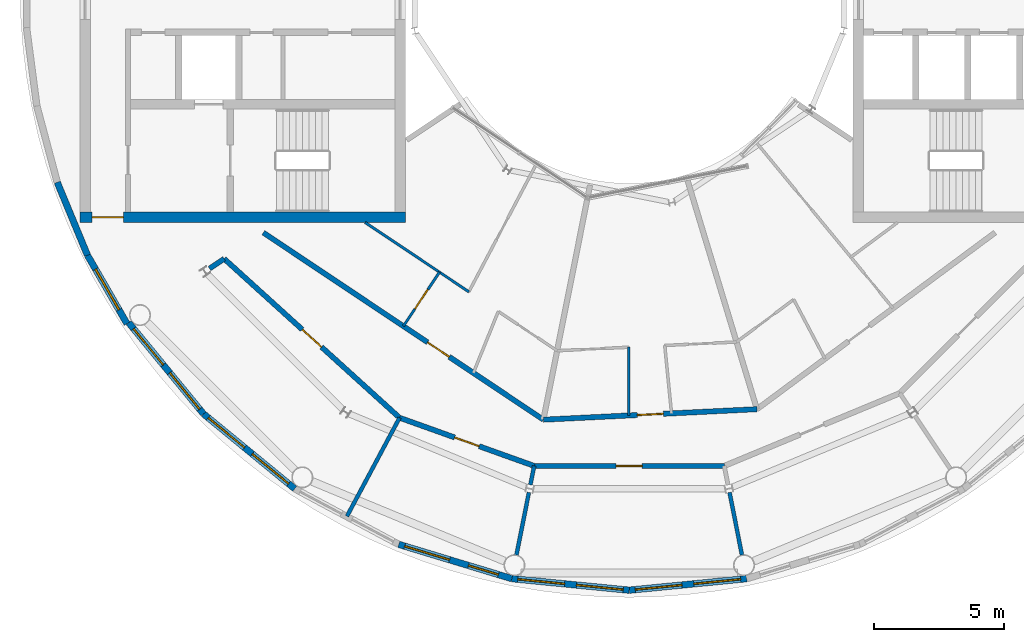
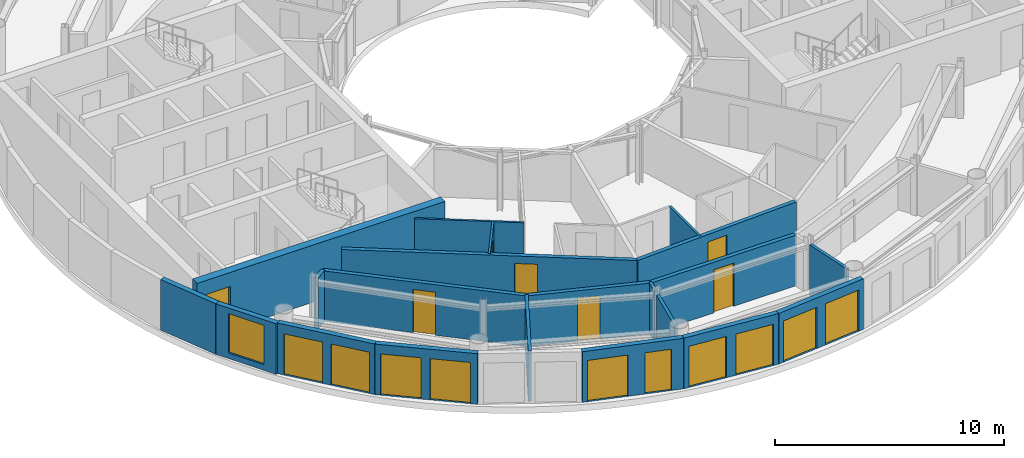
# One storey, part 8 of 17: 21 walls, 17 doors, 1 window, 18 openings.
"""IFC4 building model written with IfcOpenShell, lengths in metres."""

import ifcopenshell
import ifcopenshell.guid

model = None  # the IFC model being written
_history = None  # IfcOwnerHistory: only IFC2X3 demands one
_inside = {}  # id of a spatial element -> (the spatial element, [elements in it])
_under = {}  # id of a project, library or spatial element -> (it, [spatial elements below it])
_declared = {}  # id of a project -> (the project, [libraries it declares])
_typed = {}  # id of a type object -> (the type object, [elements of that type])
_made_of = {}  # id of a material, layer set ... -> (it, [elements and type objects made of it])


def new_model(schema):
    """Start an empty IFC model of exactly this schema.

    Asked for "IFC4X3", IfcOpenShell would pick the latest addendum, in which some entities
    have other attributes; the version numbers below select the first issue.
    IFC2X3 requires an IfcOwnerHistory on every rooted entity: one is made here for all.
    """
    global model, _history
    if schema == "IFC4X3":
        model = ifcopenshell.file(schema_version=(4, 3, 0, 0))
    else:
        model = ifcopenshell.file(schema=schema)
    _inside.clear()
    _under.clear()
    _declared.clear()
    _typed.clear()
    _made_of.clear()
    _history = None
    if model.schema == "IFC2X3":
        org = make("IfcOrganization", Name="unknown")
        user = make(
            "IfcPersonAndOrganization",
            ThePerson=make("IfcPerson", FamilyName="unknown"),
            TheOrganization=org,
        )
        app = make(
            "IfcApplication",
            ApplicationDeveloper=org,
            Version="unknown",
            ApplicationFullName="unknown",
            ApplicationIdentifier="unknown",
        )
        _history = make(
            "IfcOwnerHistory",
            OwningUser=user,
            OwningApplication=app,
            ChangeAction="ADDED",
            CreationDate=0,
        )
    return model


def make(cls, **values):
    """One entity of the class cls with the attributes given. An attribute that is None is left unset."""
    return model.create_entity(
        cls, **{name: value for name, value in values.items() if value is not None}
    )


def rooted(cls, **values):
    """An entity with a GlobalId (a new one), such as an element, a storey or a relation."""
    return make(cls, GlobalId=ifcopenshell.guid.new(), OwnerHistory=_history, **values)


def si_unit(unit_type, name, prefix=None):
    """IfcSIUnit, for example si_unit("LENGTHUNIT", "METRE", prefix="MILLI")."""
    return make("IfcSIUnit", UnitType=unit_type, Prefix=prefix, Name=name)


def assignment(units):
    """IfcUnitAssignment: the units of a project."""
    return None if units is None else make("IfcUnitAssignment", Units=units)


def point(xyz):
    """IfcCartesianPoint."""
    return None if xyz is None else make("IfcCartesianPoint", Coordinates=xyz)


def direction(xyz):
    """IfcDirection."""
    return None if xyz is None else make("IfcDirection", DirectionRatios=xyz)


def frame(location, z_axis=None, x_axis=None):
    """IfcAxis2Placement3D, a coordinate frame: its origin and axes. An axis left out is left unset."""
    return make(
        "IfcAxis2Placement3D",
        Location=point(location),
        Axis=direction(z_axis),
        RefDirection=direction(x_axis),
    )


def frame_2d(location, x_axis=None):
    """IfcAxis2Placement2D, a coordinate frame in the plane: its origin and x axis."""
    return make(
        "IfcAxis2Placement2D", Location=point(location), RefDirection=direction(x_axis)
    )


def origin():
    """The frame at (0, 0, 0) with its axes left unset."""
    return frame((0.0, 0.0, 0.0))


def place(relative_to, where):
    """IfcLocalPlacement: puts the frame where relative to a parent placement (None: the world)."""
    return make(
        "IfcLocalPlacement", PlacementRelTo=relative_to, RelativePlacement=where
    )


def context(
    kind, dimensions, precision=None, world=None, true_north=None, identifier=None
):
    """IfcGeometricRepresentationContext, for example the 3D "Model" context."""
    return make(
        "IfcGeometricRepresentationContext",
        ContextIdentifier=identifier,
        ContextType=kind,
        CoordinateSpaceDimension=dimensions,
        Precision=precision,
        WorldCoordinateSystem=world,
        TrueNorth=true_north,
    )


def subcontext(parent, identifier, kind, view, scale=None):
    """IfcGeometricRepresentationSubContext, for example "Body" below "Model"."""
    return make(
        "IfcGeometricRepresentationSubContext",
        ContextIdentifier=identifier,
        ContextType=kind,
        ParentContext=parent,
        TargetScale=scale,
        TargetView=view,
    )


def project(units=None, contexts=None):
    """IfcProject with its units and contexts."""
    return rooted(
        "IfcProject",
        Name="project",
        RepresentationContexts=contexts,
        UnitsInContext=assignment(units),
    )


def spatial(cls, under=None, at=None, **own):
    """A site, building, storey or space (cls), placed at a placement, below another one or the project."""
    s = rooted(cls, ObjectPlacement=at, **own)
    if under is not None:
        _under.setdefault(under.id(), (under, []))[1].append(s)
    return s


def profile(cls, at=None, kind="AREA", **sizes):
    """A parametric profile (cls). Its sizes go by their IFC names, for example OverallWidth=200.0."""
    return make(cls, ProfileType=kind, Position=at, **sizes)


def rectangle(**sizes):
    """IfcRectangleProfileDef."""
    return profile("IfcRectangleProfileDef", **sizes)


def extrude(swept, where, along, depth):
    """IfcExtrudedAreaSolid: the profile swept, set in the frame where, extruded along a direction by depth."""
    return make(
        "IfcExtrudedAreaSolid",
        SweptArea=swept,
        Position=where,
        ExtrudedDirection=direction(along),
        Depth=depth,
    )


def shape(context_of_items, identifier, shape_type, items):
    """IfcShapeRepresentation: the items that make up one representation, for example the "Body"."""
    return make(
        "IfcShapeRepresentation",
        ContextOfItems=context_of_items,
        RepresentationIdentifier=identifier,
        RepresentationType=shape_type,
        Items=items,
    )


def material(Name=None, Category=None):
    """IfcMaterial."""
    return make("IfcMaterial", Name=Name, Category=Category)


def layer(
    of_material, thickness, ventilated=None, Name=None, Category=None, Priority=None
):
    """IfcMaterialLayer: one layer of a wall or slab, of a material (None: an air gap)."""
    return make(
        "IfcMaterialLayer",
        Material=of_material,
        LayerThickness=thickness,
        IsVentilated=ventilated,
        Name=Name,
        Category=Category,
        Priority=Priority,
    )


def layer_set(layers, Name=None):
    """IfcMaterialLayerSet."""
    return make("IfcMaterialLayerSet", MaterialLayers=layers, LayerSetName=Name)


def made_of(thing, what):
    """Note that an element or type object is made of a material, layer set ...; save() writes the relation."""
    if what is not None:
        _made_of.setdefault(what.id(), (what, []))[1].append(thing)
    return thing


def type_object(cls, material=None, **own):
    """A type object (cls), such as IfcWallType, which elements share."""
    return made_of(rooted(cls, **own), material)


def element(
    cls,
    number,
    at=None,
    inside=None,
    cuts=None,
    type_object=None,
    material=None,
    context=None,
    identifier="Body",
    shape_type=None,
    held_by="IfcProductDefinitionShape",
    body=None,
    shapes=None,
    **own,
):
    """One element of the class cls, such as IfcWall. Its Tag is "e" and its number.

    at: its placement. inside: the storey or other place that contains it. cuts: it is an
    opening in that element (IfcRelVoidsElement). A single representation is given by context,
    identifier, shape_type and body (its items); several are given by shapes. held_by: the class
    of the entity that holds the representations. save() writes the other relations.
    """
    e = rooted(cls, Tag="e%d" % number, ObjectPlacement=at, **own)
    if body is not None:
        shapes = [shape(context, identifier, shape_type, body)]
    if shapes is not None:
        e.Representation = make(held_by, Representations=shapes)
    if inside is not None:
        _inside.setdefault(inside.id(), (inside, []))[1].append(e)
    if cuts is not None:
        rooted(
            "IfcRelVoidsElement", RelatingBuildingElement=cuts, RelatedOpeningElement=e
        )
    if type_object is not None:
        _typed.setdefault(type_object.id(), (type_object, []))[1].append(e)
    return made_of(e, material)


def fill(opening, filler):
    """IfcRelFillsElement: the door or window that sits in an opening."""
    return rooted(
        "IfcRelFillsElement",
        RelatingOpeningElement=opening,
        RelatedBuildingElement=filler,
    )


def aggregate(whole, parts):
    """IfcRelAggregates: a whole, such as a stair, and the parts it consists of."""
    return rooted("IfcRelAggregates", RelatingObject=whole, RelatedObjects=parts)


def save(model, path):
    """Write the relations noted so far, then the file.

    IfcRelAggregates (storeys below a building ...), IfcRelContainedInSpatialStructure (elements
    in a storey), IfcRelDefinesByType, IfcRelAssociatesMaterial and IfcRelDeclares: one each for
    every whole, place, type object, material and project.
    """
    for whole, parts in _under.values():
        aggregate(whole, parts)
    for where, things in _inside.values():
        rooted(
            "IfcRelContainedInSpatialStructure",
            RelatedElements=things,
            RelatingStructure=where,
        )
    for kind, things in _typed.values():
        rooted("IfcRelDefinesByType", RelatedObjects=things, RelatingType=kind)
    for what, things in _made_of.values():
        rooted("IfcRelAssociatesMaterial", RelatedObjects=things, RelatingMaterial=what)
    for by, libraries in _declared.values():
        rooted("IfcRelDeclares", RelatingContext=by, RelatedDefinitions=libraries)
    model.write(path)


model = new_model("IFC4")

# Units and contexts
model_context = context("Model", 3, precision=1e-05, world=origin(), true_north=direction((0.0, 1.0)))
body_context = subcontext(model_context, "Body", "Model", "MODEL_VIEW")
ifc_project = project(units=[si_unit("LENGTHUNIT", "METRE"), si_unit("AREAUNIT", "SQUARE_METRE"), si_unit("VOLUMEUNIT", "CUBIC_METRE"), si_unit("PLANEANGLEUNIT", "RADIAN"), si_unit("MASSUNIT", "GRAM", prefix="KILO")], contexts=[model_context])

# Site, building, storey
site_placement = place(None, origin())
site = spatial("IfcSite", under=ifc_project, at=site_placement, CompositionType="ELEMENT")
building_placement = place(site_placement, origin())
building = spatial("IfcBuilding", under=site, at=building_placement, Name="Maasbend Ring Residences", CompositionType="ELEMENT")
storey_placement = place(building_placement, frame((0.0, 0.0, 249.300048828125)))
storey = spatial("IfcBuildingStorey", under=building, at=storey_placement, Name="L72", CompositionType="ELEMENT", Elevation=249.300048828125)

# Wall, opening, door
ifc_material_1 = material(Name="Concrete C50/60", Category="concrete")
ifc_layer_1 = layer(ifc_material_1, 0.39990234375)
ifc_layer_set_1 = layer_set([ifc_layer_1], Name="Concrete C50/60")
wall_type_1 = type_object("IfcWallType", Name="CORE WALL 400 C50/60", PredefinedType="SHEAR", material=ifc_layer_set_1)
wall_1_placement = place(storey_placement, frame((-21.10009765625, -8.800048828125, 0.0), z_axis=(0.0, 0.0, 1.0), x_axis=(1.0, 0.0, 0.0)))
wall_1 = element("IfcWall", 1, at=wall_1_placement, inside=storey, type_object=wall_type_1, Name="L72 core W wall PN", PredefinedType="SHEAR", context=body_context, shape_type="SweptSolid", body=[
    extrude(rectangle(XDim=12.5, YDim=0.39990234375, at=frame_2d((6.25, 0.0))), origin(), (0.0, 0.0, 1.0), 3.050048828125),
])
opening_1_placement = place(wall_1_placement, frame((0.47509765625, 0.0, 0.0)))
opening_1 = element("IfcOpeningElement", 2, at=opening_1_placement, cuts=wall_1, Name="Opening D-W7214", PredefinedType="OPENING", context=body_context, shape_type="SweptSolid", body=[
    extrude(rectangle(XDim=1.199951171875, YDim=2.300048828125, at=frame_2d((0.60009765625, 1.14990234375))), frame((0.0, 0.2099609375, 0.0), z_axis=(0.0, -1.0, 0.0), x_axis=(1.0, 0.0, 0.0)), (0.0, 0.0, 1.0), 0.419921875),
])
ifc_material_2 = material(Name="Steel, powder coated", Category="steel")
door_type_1 = type_object("IfcDoorType", Name="CORRIDOR DOOR 1200 X 2300 FD30S", OperationType="NOTDEFINED", PredefinedType="DOOR", material=ifc_material_2)
door_1_placement = place(opening_1_placement, origin())
door_1 = element("IfcDoor", 3, at=door_1_placement, inside=storey, type_object=door_type_1, Name="Corridor door L72", OperationType="SINGLE_SWING_RIGHT", OverallHeight=2.300048828125, OverallWidth=1.199951171875, PredefinedType="DOOR", context=body_context, shape_type="SweptSolid", body=[
    extrude(rectangle(XDim=1.199951171875, YDim=2.300048828125, at=frame_2d((0.60009765625, 1.14990234375))), frame((0.0, 0.02490234375, 0.0), z_axis=(0.0, -1.0, 0.0), x_axis=(1.0, 0.0, 0.0)), (0.0, 0.0, 1.0), 0.050048828125),
])
fill(opening_1, door_1)

ifc_material_3 = material(Name="Concrete C30/37", Category="concrete")
ifc_layer_2 = layer(ifc_material_3, 0.199951171875)
ifc_layer_set_2 = layer_set([ifc_layer_2], Name="Concrete C30/37")
wall_type_2 = type_object("IfcWallType", Name="CORRIDOR WALL 200 CONCRETE", PredefinedType="PARTITIONING", material=ifc_layer_set_2)
wall_2_placement = place(storey_placement, frame((-8.820068359375, -16.5009765625, 0.0), z_axis=(0.0, 0.0, 1.0), x_axis=(0.941533512578, -0.336919344492, 0.0)))
wall_2 = element("IfcWall", 4, at=wall_2_placement, inside=storey, type_object=wall_type_2, Name="U-L72-w001", PredefinedType="PARTITIONING", context=body_context, shape_type="SweptSolid", body=[
    extrude(rectangle(XDim=5.4912109375, YDim=0.199951171875, at=frame_2d((2.74560546875, 0.0))), origin(), (0.0, 0.0, 1.0), 2.699951171875),
])
opening_2_placement = place(wall_2_placement, frame((2.24609375, 0.0, 0.0)))
opening_2 = element("IfcOpeningElement", 5, at=opening_2_placement, cuts=wall_2, Name="Opening D-7207", PredefinedType="OPENING", context=body_context, shape_type="SweptSolid", body=[
    extrude(rectangle(XDim=1.0, YDim=2.300048828125, at=frame_2d((0.5, 1.14990234375))), frame((0.0, 0.10986328125, 0.0), z_axis=(0.0, -1.0, 0.0), x_axis=(1.0, 0.0, 0.0)), (0.0, 0.0, 1.0), 0.219970703125),
])
ifc_material_4 = material(Name="Timber, painted", Category="wood")
door_type_2 = type_object("IfcDoorType", Name="ROOM DOOR 1000 X 2300", OperationType="NOTDEFINED", PredefinedType="DOOR", material=ifc_material_4)
door_2_placement = place(opening_2_placement, origin())
door_2 = element("IfcDoor", 6, at=door_2_placement, inside=storey, type_object=door_type_2, Name="D-7207", OperationType="SINGLE_SWING_RIGHT", OverallHeight=2.300048828125, OverallWidth=1.0, PredefinedType="DOOR", context=body_context, shape_type="SweptSolid", body=[
    extrude(rectangle(XDim=1.0, YDim=2.300048828125, at=frame_2d((0.5, 1.14990234375))), frame((0.0, 0.02490234375, 0.0), z_axis=(0.0, -1.0, 0.0), x_axis=(1.0, 0.0, 0.0)), (0.0, 0.0, 1.0), 0.050048828125),
])
fill(opening_2, door_2)

wall_3_placement = place(storey_placement, frame((-3.64990234375, -18.35107421875, 0.0), z_axis=(0.0, 0.0, 1.0), x_axis=(1.0, 0.0, 0.0)))
wall_3 = element("IfcWall", 7, at=wall_3_placement, inside=storey, type_object=wall_type_2, Name="U-L72-w002", PredefinedType="PARTITIONING", context=body_context, shape_type="SweptSolid", body=[
    extrude(rectangle(XDim=7.2998046875, YDim=0.199951171875, at=frame_2d((3.64990234375, 0.0))), origin(), (0.0, 0.0, 1.0), 2.699951171875),
])
opening_3_placement = place(wall_3_placement, frame((3.14990234375, 0.0, 0.0)))
opening_3 = element("IfcOpeningElement", 8, at=opening_3_placement, cuts=wall_3, Name="Opening D-7208", PredefinedType="OPENING", context=body_context, shape_type="SweptSolid", body=[
    extrude(rectangle(XDim=1.0, YDim=2.300048828125, at=frame_2d((0.5, 1.14990234375))), frame((0.0, 0.10986328125, 0.0), z_axis=(0.0, -1.0, 0.0), x_axis=(1.0, 0.0, 0.0)), (0.0, 0.0, 1.0), 0.219970703125),
])
door_3_placement = place(opening_3_placement, origin())
door_3 = element("IfcDoor", 9, at=door_3_placement, inside=storey, type_object=door_type_2, Name="D-7208", OperationType="SINGLE_SWING_LEFT", OverallHeight=2.300048828125, OverallWidth=1.0, PredefinedType="DOOR", context=body_context, shape_type="SweptSolid", body=[
    extrude(rectangle(XDim=1.0, YDim=2.300048828125, at=frame_2d((0.5, 1.14990234375))), frame((0.0, 0.02490234375, 0.0), z_axis=(0.0, -1.0, 0.0), x_axis=(1.0, 0.0, 0.0)), (0.0, 0.0, 1.0), 0.050048828125),
])
fill(opening_3, door_3)

wall_4_placement = place(storey_placement, frame((-15.556884765625, -10.39501953125, 0.0), z_axis=(0.0, 0.0, 1.0), x_axis=(0.740947701955, -0.671562731967, 0.0)))
wall_4 = element("IfcWall", 10, at=wall_4_placement, inside=storey, type_object=wall_type_2, Name="U-L72-w005", PredefinedType="PARTITIONING", context=body_context, shape_type="SweptSolid", body=[
    extrude(rectangle(XDim=9.092041015625, YDim=0.199951171875, at=frame_2d((4.5458984375, 0.0))), origin(), (0.0, 0.0, 1.0), 2.699951171875),
])
opening_4_placement = place(wall_4_placement, frame((4.0458984375, 0.0, 0.0)))
opening_4 = element("IfcOpeningElement", 11, at=opening_4_placement, cuts=wall_4, Name="Opening D-7206", PredefinedType="OPENING", context=body_context, shape_type="SweptSolid", body=[
    extrude(rectangle(XDim=1.0, YDim=2.300048828125, at=frame_2d((0.5, 1.14990234375))), frame((0.0, 0.10986328125, 0.0), z_axis=(0.0, -1.0, 0.0), x_axis=(1.0, 0.0, 0.0)), (0.0, 0.0, 1.0), 0.219970703125),
])
door_4_placement = place(opening_4_placement, origin())
door_4 = element("IfcDoor", 12, at=door_4_placement, inside=storey, type_object=door_type_2, Name="D-7206", OperationType="SINGLE_SWING_RIGHT", OverallHeight=2.300048828125, OverallWidth=1.0, PredefinedType="DOOR", context=body_context, shape_type="SweptSolid", body=[
    extrude(rectangle(XDim=1.0, YDim=2.300048828125, at=frame_2d((0.5, 1.14990234375))), frame((0.0, 0.02490234375, 0.0), z_axis=(0.0, -1.0, 0.0), x_axis=(1.0, 0.0, 0.0)), (0.0, 0.0, 1.0), 0.050048828125),
])
fill(opening_4, door_4)

wall_5_placement = place(storey_placement, frame((-3.297119140625, -16.574951171875, 0.0), z_axis=(0.0, 0.0, 1.0), x_axis=(0.998796706656, 0.0490422142, 0.0)))
wall_5 = element("IfcWall", 13, at=wall_5_placement, inside=storey, type_object=wall_type_2, Name="U-L72-w006", PredefinedType="PARTITIONING", context=body_context, shape_type="SweptSolid", body=[
    extrude(rectangle(XDim=8.2138671875, YDim=0.199951171875, at=frame_2d((4.10693359375, 0.0))), origin(), (0.0, 0.0, 1.0), 2.699951171875),
])
opening_5_placement = place(wall_5_placement, frame((3.614013671875, 0.0, 0.0)))
opening_5 = element("IfcOpeningElement", 14, at=opening_5_placement, cuts=wall_5, Name="Opening D-7227", PredefinedType="OPENING", context=body_context, shape_type="SweptSolid", body=[
    extrude(rectangle(XDim=1.0, YDim=2.300048828125, at=frame_2d((0.5, 1.14990234375))), frame((0.0, 0.10986328125, 0.0), z_axis=(0.0, -1.0, 0.0), x_axis=(1.0, 0.0, 0.0)), (0.0, 0.0, 1.0), 0.219970703125),
])
ifc_material_5 = material(Name="Timber, fire-rated, painted", Category="wood")
door_type_3 = type_object("IfcDoorType", Name="FLAT ENTRANCE DOOR 1000 X 2300 FIRE-RATED", OperationType="NOTDEFINED", PredefinedType="DOOR", material=ifc_material_5)
door_5_placement = place(opening_5_placement, origin())
door_5 = element("IfcDoor", 15, at=door_5_placement, inside=storey, type_object=door_type_3, Name="D-7227", OperationType="SINGLE_SWING_RIGHT", OverallHeight=2.300048828125, OverallWidth=1.0, PredefinedType="DOOR", context=body_context, shape_type="SweptSolid", body=[
    extrude(rectangle(XDim=1.0, YDim=2.300048828125, at=frame_2d((0.5, 1.14990234375))), frame((0.0, 0.02490234375, 0.0), z_axis=(0.0, -1.0, 0.0), x_axis=(1.0, 0.0, 0.0)), (0.0, 0.0, 1.0), 0.050048828125),
])
fill(opening_5, door_5)

wall_6_placement = place(storey_placement, frame((-14.052001953125, -9.39208984375, 0.0), z_axis=(0.0, 0.0, 1.0), x_axis=(0.831588235223, -0.555392660231, 0.0)))
wall_6 = element("IfcWall", 16, at=wall_6_placement, inside=storey, type_object=wall_type_2, Name="U-L72-w008", PredefinedType="PARTITIONING", context=body_context, shape_type="SweptSolid", body=[
    extrude(rectangle(XDim=12.932861328125, YDim=0.199951171875, at=frame_2d((6.46630859375, 0.0))), origin(), (0.0, 0.0, 1.0), 2.699951171875),
])
opening_6_placement = place(wall_6_placement, frame((7.5849609375, 0.0, 0.0)))
opening_6 = element("IfcOpeningElement", 17, at=opening_6_placement, cuts=wall_6, Name="Opening D-7223", PredefinedType="OPENING", context=body_context, shape_type="SweptSolid", body=[
    extrude(rectangle(XDim=1.0, YDim=2.300048828125, at=frame_2d((0.5, 1.14990234375))), frame((0.0, 0.10986328125, 0.0), z_axis=(0.0, -1.0, 0.0), x_axis=(1.0, 0.0, 0.0)), (0.0, 0.0, 1.0), 0.219970703125),
])
door_6_placement = place(opening_6_placement, origin())
door_6 = element("IfcDoor", 18, at=door_6_placement, inside=storey, type_object=door_type_3, Name="D-7223", OperationType="SINGLE_SWING_RIGHT", OverallHeight=2.300048828125, OverallWidth=1.0, PredefinedType="DOOR", context=body_context, shape_type="SweptSolid", body=[
    extrude(rectangle(XDim=1.0, YDim=2.300048828125, at=frame_2d((0.5, 1.14990234375))), frame((0.0, 0.02490234375, 0.0), z_axis=(0.0, -1.0, 0.0), x_axis=(1.0, 0.0, 0.0)), (0.0, 0.0, 1.0), 0.050048828125),
])
fill(opening_6, door_6)

# Wall
wall_7_placement = place(storey_placement, frame((-16.117919921875, -10.77001953125, 0.0), z_axis=(0.0, 0.0, 1.0), x_axis=(0.831381780519, 0.555701660086, 0.0)))
element("IfcWall", 19, at=wall_7_placement, inside=storey, type_object=wall_type_2, Name="U-L72-w017", PredefinedType="PARTITIONING", context=body_context, shape_type="SweptSolid", body=[
    extrude(rectangle(XDim=0.6748046875, YDim=0.199951171875, at=frame_2d((0.33740234375, 0.0))), origin(), (0.0, 0.0, 1.0), 2.699951171875),
])

# Wall, openings, doors
ifc_material_6 = material(Name="Aluminium clad insulated panel", Category="aluminium")
ifc_layer_3 = layer(ifc_material_6, 0.25)
ifc_layer_set_3 = layer_set([ifc_layer_3], Name="EW-GL")
wall_type_3 = type_object("IfcWallType", Name="EW-GL", PredefinedType="SOLIDWALL", material=ifc_layer_set_3)
wall_8_placement = place(storey_placement, frame((-19.22802734375, -12.847900390625, 0.0), z_axis=(0.0, 0.0, 1.0), x_axis=(0.634418942337, -0.772989395532, 0.0)))
wall_8 = element("IfcWall", 20, at=wall_8_placement, inside=storey, type_object=wall_type_3, Name="External wall S01", PredefinedType="SOLIDWALL", context=body_context, shape_type="SweptSolid", body=[
    extrude(rectangle(XDim=4.533203125, YDim=0.25, at=frame_2d((2.2666015625, 0.0))), origin(), (0.0, 0.0, 1.0), 2.699951171875),
])
opening_7_placement = place(wall_8_placement, frame((0.300048828125, 0.0, 0.0)))
opening_7 = element("IfcOpeningElement", 21, at=opening_7_placement, cuts=wall_8, Name="Opening D-TR", PredefinedType="OPENING", context=body_context, shape_type="SweptSolid", body=[
    extrude(rectangle(XDim=1.800048828125, YDim=2.199951171875, at=frame_2d((0.89990234375, 1.10009765625))), frame((0.0, 0.135009765625, 0.0), z_axis=(0.0, -1.0, 0.0), x_axis=(1.0, 0.0, 0.0)), (0.0, 0.0, 1.0), 0.27001953125),
])
opening_8_placement = place(wall_8_placement, frame((2.497314453125, 0.0, 0.0)))
opening_8 = element("IfcOpeningElement", 22, at=opening_8_placement, cuts=wall_8, Name="Opening D-TR", PredefinedType="OPENING", context=body_context, shape_type="SweptSolid", body=[
    extrude(rectangle(XDim=1.800048828125, YDim=2.199951171875, at=frame_2d((0.89990234375, 1.10009765625))), frame((0.0, 0.135009765625, 0.0), z_axis=(0.0, -1.0, 0.0), x_axis=(1.0, 0.0, 0.0)), (0.0, 0.0, 1.0), 0.27001953125),
])
ifc_material_7 = material(Name="Aluminium and clear glass", Category="aluminium")
door_type_4 = type_object("IfcDoorType", Name="D-TR", OperationType="DOUBLE_DOOR_SINGLE_SWING", PredefinedType="DOOR", material=ifc_material_7)
door_7_placement = place(opening_7_placement, origin())
door_7 = element("IfcDoor", 23, at=door_7_placement, inside=storey, type_object=door_type_4, Name="Terrace door S01", OperationType="SINGLE_SWING_LEFT", OverallHeight=2.199951171875, OverallWidth=1.800048828125, PredefinedType="DOOR", context=body_context, shape_type="SweptSolid", body=[
    extrude(rectangle(XDim=1.800048828125, YDim=2.199951171875, at=frame_2d((0.89990234375, 1.10009765625))), frame((0.0, 0.02490234375, 0.0), z_axis=(0.0, -1.0, 0.0), x_axis=(1.0, 0.0, 0.0)), (0.0, 0.0, 1.0), 0.050048828125),
])
fill(opening_7, door_7)
door_8_placement = place(opening_8_placement, origin())
door_8 = element("IfcDoor", 24, at=door_8_placement, inside=storey, type_object=door_type_4, Name="Terrace door S02", OperationType="SINGLE_SWING_LEFT", OverallHeight=2.199951171875, OverallWidth=1.800048828125, PredefinedType="DOOR", context=body_context, shape_type="SweptSolid", body=[
    extrude(rectangle(XDim=1.800048828125, YDim=2.199951171875, at=frame_2d((0.89990234375, 1.10009765625))), frame((0.0, 0.02490234375, 0.0), z_axis=(0.0, -1.0, 0.0), x_axis=(1.0, 0.0, 0.0)), (0.0, 0.0, 1.0), 0.050048828125),
])
fill(opening_8, door_8)

wall_9_placement = place(storey_placement, frame((-16.35205078125, -16.35205078125, 0.0), z_axis=(0.0, 0.0, 1.0), x_axis=(0.772989395532, -0.634418942337, 0.0)))
wall_9 = element("IfcWall", 25, at=wall_9_placement, inside=storey, type_object=wall_type_3, Name="External wall S02", PredefinedType="SOLIDWALL", context=body_context, shape_type="SweptSolid", body=[
    extrude(rectangle(XDim=4.533203125, YDim=0.25, at=frame_2d((2.2666015625, 0.0))), origin(), (0.0, 0.0, 1.0), 2.699951171875),
])
opening_9_placement = place(wall_9_placement, frame((0.236083984375, 0.0, 0.0)))
opening_9 = element("IfcOpeningElement", 26, at=opening_9_placement, cuts=wall_9, Name="Opening D-TR", PredefinedType="OPENING", context=body_context, shape_type="SweptSolid", body=[
    extrude(rectangle(XDim=1.800048828125, YDim=2.199951171875, at=frame_2d((0.89990234375, 1.10009765625))), frame((0.0, 0.135009765625, 0.0), z_axis=(0.0, -1.0, 0.0), x_axis=(1.0, 0.0, 0.0)), (0.0, 0.0, 1.0), 0.27001953125),
])
opening_10_placement = place(wall_9_placement, frame((2.4267578125, 0.0, 0.0)))
opening_10 = element("IfcOpeningElement", 27, at=opening_10_placement, cuts=wall_9, Name="Opening D-TR", PredefinedType="OPENING", context=body_context, shape_type="SweptSolid", body=[
    extrude(rectangle(XDim=1.800048828125, YDim=2.199951171875, at=frame_2d((0.89990234375, 1.10009765625))), frame((0.0, 0.135009765625, 0.0), z_axis=(0.0, -1.0, 0.0), x_axis=(1.0, 0.0, 0.0)), (0.0, 0.0, 1.0), 0.27001953125),
])
door_9_placement = place(opening_9_placement, origin())
door_9 = element("IfcDoor", 28, at=door_9_placement, inside=storey, type_object=door_type_4, Name="Terrace door S03", OperationType="SINGLE_SWING_LEFT", OverallHeight=2.199951171875, OverallWidth=1.800048828125, PredefinedType="DOOR", context=body_context, shape_type="SweptSolid", body=[
    extrude(rectangle(XDim=1.800048828125, YDim=2.199951171875, at=frame_2d((0.89990234375, 1.10009765625))), frame((0.0, 0.02490234375, 0.0), z_axis=(0.0, -1.0, 0.0), x_axis=(1.0, 0.0, 0.0)), (0.0, 0.0, 1.0), 0.050048828125),
])
fill(opening_9, door_9)
door_10_placement = place(opening_10_placement, origin())
door_10 = element("IfcDoor", 29, at=door_10_placement, inside=storey, type_object=door_type_4, Name="Terrace door S04", OperationType="SINGLE_SWING_LEFT", OverallHeight=2.199951171875, OverallWidth=1.800048828125, PredefinedType="DOOR", context=body_context, shape_type="SweptSolid", body=[
    extrude(rectangle(XDim=1.800048828125, YDim=2.199951171875, at=frame_2d((0.89990234375, 1.10009765625))), frame((0.0, 0.02490234375, 0.0), z_axis=(0.0, -1.0, 0.0), x_axis=(1.0, 0.0, 0.0)), (0.0, 0.0, 1.0), 0.050048828125),
])
fill(opening_10, door_10)

wall_10_placement = place(storey_placement, frame((-8.85009765625, -21.364990234375, 0.0), z_axis=(0.0, 0.0, 1.0), x_axis=(0.956960982965, -0.290216603735, 0.0)))
wall_10 = element("IfcWall", 30, at=wall_10_placement, inside=storey, type_object=wall_type_3, Name="External wall S04", PredefinedType="SOLIDWALL", context=body_context, shape_type="SweptSolid", body=[
    extrude(rectangle(XDim=4.5341796875, YDim=0.25, at=frame_2d((2.26708984375, 0.0))), origin(), (0.0, 0.0, 1.0), 2.699951171875),
])
opening_11_placement = place(wall_10_placement, frame((0.236083984375, 0.0, 0.0)))
opening_11 = element("IfcOpeningElement", 31, at=opening_11_placement, cuts=wall_10, Name="Opening D-TR", PredefinedType="OPENING", context=body_context, shape_type="SweptSolid", body=[
    extrude(rectangle(XDim=1.800048828125, YDim=2.199951171875, at=frame_2d((0.89990234375, 1.10009765625))), frame((0.0, 0.135009765625, 0.0), z_axis=(0.0, -1.0, 0.0), x_axis=(1.0, 0.0, 0.0)), (0.0, 0.0, 1.0), 0.27001953125),
])
opening_12_placement = place(wall_10_placement, frame((2.797119140625, 0.0, 0.0)))
opening_12 = element("IfcOpeningElement", 32, at=opening_12_placement, cuts=wall_10, Name="Opening D-TN", PredefinedType="OPENING", context=body_context, shape_type="SweptSolid", body=[
    extrude(rectangle(XDim=1.199951171875, YDim=2.199951171875, at=frame_2d((0.60009765625, 1.10009765625))), frame((0.0, 0.135009765625, 0.0), z_axis=(0.0, -1.0, 0.0), x_axis=(1.0, 0.0, 0.0)), (0.0, 0.0, 1.0), 0.27001953125),
])
ifc_material_8 = material(Name="Aluminium and clear glass", Category="aluminium")
door_type_5 = type_object("IfcDoorType", Name="D-TN", OperationType="SINGLE_SWING_LEFT", PredefinedType="DOOR", material=ifc_material_8)
door_11_placement = place(opening_12_placement, origin())
door_11 = element("IfcDoor", 33, at=door_11_placement, inside=storey, type_object=door_type_5, Name="Terrace door S08", OperationType="SINGLE_SWING_LEFT", OverallHeight=2.199951171875, OverallWidth=1.199951171875, PredefinedType="DOOR", context=body_context, shape_type="SweptSolid", body=[
    extrude(rectangle(XDim=1.199951171875, YDim=2.199951171875, at=frame_2d((0.60009765625, 1.10009765625))), frame((0.0, 0.02490234375, 0.0), z_axis=(0.0, -1.0, 0.0), x_axis=(1.0, 0.0, 0.0)), (0.0, 0.0, 1.0), 0.050048828125),
])
fill(opening_12, door_11)
door_12_placement = place(opening_11_placement, origin())
door_12 = element("IfcDoor", 34, at=door_12_placement, inside=storey, type_object=door_type_4, Name="Terrace door S07", OperationType="SINGLE_SWING_LEFT", OverallHeight=2.199951171875, OverallWidth=1.800048828125, PredefinedType="DOOR", context=body_context, shape_type="SweptSolid", body=[
    extrude(rectangle(XDim=1.800048828125, YDim=2.199951171875, at=frame_2d((0.89990234375, 1.10009765625))), frame((0.0, 0.02490234375, 0.0), z_axis=(0.0, -1.0, 0.0), x_axis=(1.0, 0.0, 0.0)), (0.0, 0.0, 1.0), 0.050048828125),
])
fill(opening_11, door_12)

wall_11_placement = place(storey_placement, frame((-4.510986328125, -22.680908203125, 0.0), z_axis=(0.0, 0.0, 1.0), x_axis=(0.995189063612, -0.097973096645, 0.0)))
wall_11 = element("IfcWall", 35, at=wall_11_placement, inside=storey, type_object=wall_type_3, Name="External wall S05", PredefinedType="SOLIDWALL", context=body_context, shape_type="SweptSolid", body=[
    extrude(rectangle(XDim=4.53271484375, YDim=0.25, at=frame_2d((2.266357421875, 0.0))), origin(), (0.0, 0.0, 1.0), 2.699951171875),
])
opening_13_placement = place(wall_11_placement, frame((0.236083984375, 0.0, 0.0)))
opening_13 = element("IfcOpeningElement", 36, at=opening_13_placement, cuts=wall_11, Name="Opening D-TR", PredefinedType="OPENING", context=body_context, shape_type="SweptSolid", body=[
    extrude(rectangle(XDim=1.800048828125, YDim=2.199951171875, at=frame_2d((0.89990234375, 1.10009765625))), frame((0.0, 0.135009765625, 0.0), z_axis=(0.0, -1.0, 0.0), x_axis=(1.0, 0.0, 0.0)), (0.0, 0.0, 1.0), 0.27001953125),
])
opening_14_placement = place(wall_11_placement, frame((2.497314453125, 0.0, 0.0)))
opening_14 = element("IfcOpeningElement", 37, at=opening_14_placement, cuts=wall_11, Name="Opening D-TR", PredefinedType="OPENING", context=body_context, shape_type="SweptSolid", body=[
    extrude(rectangle(XDim=1.800048828125, YDim=2.199951171875, at=frame_2d((0.89990234375, 1.10009765625))), frame((0.0, 0.135009765625, 0.0), z_axis=(0.0, -1.0, 0.0), x_axis=(1.0, 0.0, 0.0)), (0.0, 0.0, 1.0), 0.27001953125),
])
door_13_placement = place(opening_13_placement, origin())
door_13 = element("IfcDoor", 38, at=door_13_placement, inside=storey, type_object=door_type_4, Name="Terrace door S09", OperationType="SINGLE_SWING_LEFT", OverallHeight=2.199951171875, OverallWidth=1.800048828125, PredefinedType="DOOR", context=body_context, shape_type="SweptSolid", body=[
    extrude(rectangle(XDim=1.800048828125, YDim=2.199951171875, at=frame_2d((0.89990234375, 1.10009765625))), frame((0.0, 0.02490234375, 0.0), z_axis=(0.0, -1.0, 0.0), x_axis=(1.0, 0.0, 0.0)), (0.0, 0.0, 1.0), 0.050048828125),
])
fill(opening_13, door_13)
door_14_placement = place(opening_14_placement, origin())
door_14 = element("IfcDoor", 39, at=door_14_placement, inside=storey, type_object=door_type_4, Name="Terrace door S10", OperationType="SINGLE_SWING_LEFT", OverallHeight=2.199951171875, OverallWidth=1.800048828125, PredefinedType="DOOR", context=body_context, shape_type="SweptSolid", body=[
    extrude(rectangle(XDim=1.800048828125, YDim=2.199951171875, at=frame_2d((0.89990234375, 1.10009765625))), frame((0.0, 0.02490234375, 0.0), z_axis=(0.0, -1.0, 0.0), x_axis=(1.0, 0.0, 0.0)), (0.0, 0.0, 1.0), 0.050048828125),
])
fill(opening_14, door_14)

wall_12_placement = place(storey_placement, frame((0.0, -23.125, 0.0), z_axis=(0.0, 0.0, 1.0), x_axis=(0.995189063612, 0.097973096645, 0.0)))
wall_12 = element("IfcWall", 40, at=wall_12_placement, inside=storey, type_object=wall_type_3, Name="External wall S06", PredefinedType="SOLIDWALL", context=body_context, shape_type="SweptSolid", body=[
    extrude(rectangle(XDim=4.53271484375, YDim=0.25, at=frame_2d((2.266357421875, 0.0))), origin(), (0.0, 0.0, 1.0), 2.699951171875),
])
opening_15_placement = place(wall_12_placement, frame((0.236083984375, 0.0, 0.0)))
opening_15 = element("IfcOpeningElement", 41, at=opening_15_placement, cuts=wall_12, Name="Opening D-TR", PredefinedType="OPENING", context=body_context, shape_type="SweptSolid", body=[
    extrude(rectangle(XDim=1.800048828125, YDim=2.199951171875, at=frame_2d((0.89990234375, 1.10009765625))), frame((0.0, 0.135009765625, 0.0), z_axis=(0.0, -1.0, 0.0), x_axis=(1.0, 0.0, 0.0)), (0.0, 0.0, 1.0), 0.27001953125),
])
opening_16_placement = place(wall_12_placement, frame((2.497314453125, 0.0, 0.0)))
opening_16 = element("IfcOpeningElement", 42, at=opening_16_placement, cuts=wall_12, Name="Opening D-TR", PredefinedType="OPENING", context=body_context, shape_type="SweptSolid", body=[
    extrude(rectangle(XDim=1.800048828125, YDim=2.199951171875, at=frame_2d((0.89990234375, 1.10009765625))), frame((0.0, 0.135009765625, 0.0), z_axis=(0.0, -1.0, 0.0), x_axis=(1.0, 0.0, 0.0)), (0.0, 0.0, 1.0), 0.27001953125),
])
door_15_placement = place(opening_15_placement, origin())
door_15 = element("IfcDoor", 43, at=door_15_placement, inside=storey, type_object=door_type_4, Name="Terrace door S11", OperationType="SINGLE_SWING_LEFT", OverallHeight=2.199951171875, OverallWidth=1.800048828125, PredefinedType="DOOR", context=body_context, shape_type="SweptSolid", body=[
    extrude(rectangle(XDim=1.800048828125, YDim=2.199951171875, at=frame_2d((0.89990234375, 1.10009765625))), frame((0.0, 0.02490234375, 0.0), z_axis=(0.0, -1.0, 0.0), x_axis=(1.0, 0.0, 0.0)), (0.0, 0.0, 1.0), 0.050048828125),
])
fill(opening_15, door_15)
door_16_placement = place(opening_16_placement, origin())
door_16 = element("IfcDoor", 44, at=door_16_placement, inside=storey, type_object=door_type_4, Name="Terrace door S12", OperationType="SINGLE_SWING_LEFT", OverallHeight=2.199951171875, OverallWidth=1.800048828125, PredefinedType="DOOR", context=body_context, shape_type="SweptSolid", body=[
    extrude(rectangle(XDim=1.800048828125, YDim=2.199951171875, at=frame_2d((0.89990234375, 1.10009765625))), frame((0.0, 0.02490234375, 0.0), z_axis=(0.0, -1.0, 0.0), x_axis=(1.0, 0.0, 0.0)), (0.0, 0.0, 1.0), 0.050048828125),
])
fill(opening_16, door_16)

# Wall, opening, window
ifc_material_9 = material(Name="Aluminium clad insulated panel", Category="aluminium")
ifc_layer_4 = layer(ifc_material_9, 0.25)
ifc_layer_set_4 = layer_set([ifc_layer_4], Name="EW-HORN")
wall_type_4 = type_object("IfcWallType", Name="EW-HORN", PredefinedType="SOLIDWALL", material=ifc_layer_set_4)
wall_13_placement = place(storey_placement, frame((-20.806884765625, -10.260986328125, 0.0), z_axis=(0.0, 0.0, 1.0), x_axis=(0.499903546559, -0.866081084043, 0.0)))
wall_13 = element("IfcWall", 45, at=wall_13_placement, inside=storey, type_object=wall_type_4, Name="Horn wall 2.9", PredefinedType="SOLIDWALL", context=body_context, shape_type="SweptSolid", body=[
    extrude(rectangle(XDim=3.0341796875, YDim=0.25, at=frame_2d((1.51708984375, 0.0))), origin(), (0.0, 0.0, 1.0), 2.699951171875),
])
opening_17_placement = place(wall_13_placement, frame((0.617431640625, 0.0, 0.300048828125)))
opening_17 = element("IfcOpeningElement", 46, at=opening_17_placement, cuts=wall_13, Name="Opening W-BX", PredefinedType="OPENING", context=body_context, shape_type="SweptSolid", body=[
    extrude(rectangle(XDim=1.800048828125, YDim=2.10009765625, at=frame_2d((0.89990234375, 1.050048828125))), frame((0.0, 0.135009765625, 0.0), z_axis=(0.0, -1.0, 0.0), x_axis=(1.0, 0.0, 0.0)), (0.0, 0.0, 1.0), 0.27001953125),
])
ifc_material_10 = material(Name="Aluminium and clear glass", Category="aluminium")
window_type = type_object("IfcWindowType", Name="W-BX", PartitioningType="DOUBLE_PANEL_VERTICAL", PredefinedType="WINDOW", material=ifc_material_10)
window_placement = place(opening_17_placement, origin())
window = element("IfcWindow", 47, at=window_placement, inside=storey, type_object=window_type, Name="Horn window 2.9", OverallHeight=2.10009765625, OverallWidth=1.800048828125, PartitioningType="SINGLE_PANEL", PredefinedType="WINDOW", context=body_context, shape_type="SweptSolid", body=[
    extrude(rectangle(XDim=1.800048828125, YDim=2.10009765625, at=frame_2d((0.89990234375, 1.050048828125))), frame((0.0, 0.030029296875, 0.0), z_axis=(0.0, -1.0, 0.0), x_axis=(1.0, 0.0, 0.0)), (0.0, 0.0, 1.0), 0.06005859375),
])
fill(opening_17, window)

# Walls
ifc_material_11 = material(Name="Louvred aluminium panel", Category="aluminium")
ifc_layer_5 = layer(ifc_material_11, 0.25)
ifc_layer_set_5 = layer_set([ifc_layer_5], Name="EW-LV")
wall_type_5 = type_object("IfcWallType", Name="EW-LV", PredefinedType="SOLIDWALL", material=ifc_layer_set_5)
wall_14_placement = place(storey_placement, frame((-21.968994140625, -7.45703125, 0.0), z_axis=(0.0, 0.0, 1.0), x_axis=(0.382872724993, -0.923801102216, 0.0)))
element("IfcWall", 48, at=wall_14_placement, inside=storey, type_object=wall_type_5, Name="Horn wall 2.8", PredefinedType="SOLIDWALL", context=body_context, shape_type="SweptSolid", body=[
    extrude(rectangle(XDim=3.03515625, YDim=0.25, at=frame_2d((1.517578125, 0.0))), origin(), (0.0, 0.0, 1.0), 2.699951171875),
])
ifc_material_12 = material(Name="Gypsum board on steel studs", Category="steel")
ifc_layer_6 = layer(ifc_material_12, 0.10009765625)
ifc_layer_set_6 = layer_set([ifc_layer_6], Name="PARTITION 100 GYPSUM")
wall_type_6 = type_object("IfcWallType", Name="PARTITION 100 GYPSUM", PredefinedType="PARTITIONING", material=ifc_layer_set_6)
wall_15_placement = place(storey_placement, frame((-10.14306640625, -9.001953125, 0.0), z_axis=(0.0, 0.0, 1.0), x_axis=(0.831595529181, -0.555381738849, 0.0)))
element("IfcWall", 49, at=wall_15_placement, inside=storey, type_object=wall_type_6, Name="U-L72-w013", PredefinedType="PARTITIONING", context=body_context, shape_type="SweptSolid", body=[
    extrude(rectangle(XDim=4.793212890625, YDim=0.10009765625, at=frame_2d((2.396484375, 0.0))), origin(), (0.0, 0.0, 1.0), 2.699951171875),
])

# Wall, opening, door
wall_16_placement = place(storey_placement, frame((-8.674072265625, -12.98193359375, 0.0), z_axis=(0.0, 0.0, 1.0), x_axis=(0.555355163998, 0.831613276602, 0.0)))
wall_16 = element("IfcWall", 50, at=wall_16_placement, inside=storey, type_object=wall_type_6, Name="U-L72-w022", PredefinedType="PARTITIONING", context=body_context, shape_type="SweptSolid", body=[
    extrude(rectangle(XDim=2.493896484375, YDim=0.10009765625, at=frame_2d((1.2470703125, 0.0))), origin(), (0.0, 0.0, 1.0), 2.699951171875),
])
opening_18_placement = place(wall_16_placement, frame((0.797119140625, 0.0, 0.0)))
opening_18 = element("IfcOpeningElement", 51, at=opening_18_placement, cuts=wall_16, Name="Opening D-7225", PredefinedType="OPENING", context=body_context, shape_type="SweptSolid", body=[
    extrude(rectangle(XDim=0.89990234375, YDim=2.300048828125, at=frame_2d((0.449951171875, 1.14990234375))), frame((0.0, 0.06005859375, 0.0), z_axis=(0.0, -1.0, 0.0), x_axis=(1.0, 0.0, 0.0)), (0.0, 0.0, 1.0), 0.1201171875),
])
ifc_material_13 = material(Name="Timber, painted", Category="wood")
door_type_6 = type_object("IfcDoorType", Name="INTERNAL DOOR 900 X 2300", OperationType="NOTDEFINED", PredefinedType="DOOR", material=ifc_material_13)
door_17_placement = place(opening_18_placement, origin())
door_17 = element("IfcDoor", 52, at=door_17_placement, inside=storey, type_object=door_type_6, Name="D-7225", OperationType="SINGLE_SWING_RIGHT", OverallHeight=2.300048828125, OverallWidth=0.89990234375, PredefinedType="DOOR", context=body_context, shape_type="SweptSolid", body=[
    extrude(rectangle(XDim=0.89990234375, YDim=2.300048828125, at=frame_2d((0.449951171875, 1.14990234375))), frame((0.0, 0.02490234375, 0.0), z_axis=(0.0, -1.0, 0.0), x_axis=(1.0, 0.0, 0.0)), (0.0, 0.0, 1.0), 0.050048828125),
])
fill(opening_18, door_17)

# Walls
wall_17_placement = place(storey_placement, frame((-0.01611328125, -16.4140625, 0.0), z_axis=(0.0, 0.0, 1.0), x_axis=(0.001210427419, 0.999999267432, 0.0)))
element("IfcWall", 53, at=wall_17_placement, inside=storey, type_object=wall_type_6, Name="U-L72-w035", PredefinedType="PARTITIONING", context=body_context, shape_type="SweptSolid", body=[
    extrude(rectangle(XDim=2.6220703125, YDim=0.10009765625, at=frame_2d((1.31103515625, 0.0))), origin(), (0.0, 0.0, 1.0), 2.699951171875),
])
ifc_material_14 = material(Name="Gypsum board on steel studs", Category="steel")
ifc_layer_7 = layer(ifc_material_14, 0.14990234375)
ifc_layer_set_7 = layer_set([ifc_layer_7], Name="PARTITION 150 GYPSUM")
wall_type_7 = type_object("IfcWallType", Name="PARTITION 150 GYPSUM", PredefinedType="PARTITIONING", material=ifc_layer_set_7)
wall_18_placement = place(storey_placement, frame((-10.842041015625, -20.283935546875, 0.0), z_axis=(0.0, 0.0, 1.0), x_axis=(0.471385667229, 0.881927181082, 0.0)))
element("IfcWall", 54, at=wall_18_placement, inside=storey, type_object=wall_type_7, Name="U-L72-w020", PredefinedType="PARTITIONING", context=body_context, shape_type="SweptSolid", body=[
    extrude(rectangle(XDim=4.289306640625, YDim=0.14990234375, at=frame_2d((2.14453125, 0.0))), origin(), (0.0, 0.0, 1.0), 2.699951171875),
])
wall_19_placement = place(storey_placement, frame((-4.33203125, -21.77490234375, 0.0), z_axis=(0.0, 0.0, 1.0), x_axis=(0.195350176405, 0.980733556364, 0.0)))
element("IfcWall", 55, at=wall_19_placement, inside=storey, type_object=wall_type_7, Name="U-L72-w030", PredefinedType="PARTITIONING", context=body_context, shape_type="SweptSolid", body=[
    extrude(rectangle(XDim=2.4521484375, YDim=0.14990234375, at=frame_2d((1.22607421875, 0.0))), origin(), (0.0, 0.0, 1.0), 2.699951171875),
])
wall_20_placement = place(storey_placement, frame((-3.794921875, -19.075927734375, 0.0), z_axis=(0.0, 0.0, 1.0), x_axis=(0.196179647951, 0.980567970989, 0.0)))
element("IfcWall", 56, at=wall_20_placement, inside=storey, type_object=wall_type_7, Name="U-L72-w032", PredefinedType="PARTITIONING", context=body_context, shape_type="SweptSolid", body=[
    extrude(rectangle(XDim=0.7392578125, YDim=0.14990234375, at=frame_2d((0.36962890625, 0.0))), origin(), (0.0, 0.0, 1.0), 2.699951171875),
])
wall_21_placement = place(storey_placement, frame((3.85302734375, -19.37109375, 0.0), z_axis=(0.0, 0.0, 1.0), x_axis=(0.195043256877, -0.980794641068, 0.0)))
element("IfcWall", 57, at=wall_21_placement, inside=storey, type_object=wall_type_7, Name="U-L72-w043", PredefinedType="PARTITIONING", context=body_context, shape_type="SweptSolid", body=[
    extrude(rectangle(XDim=2.450927734375, YDim=0.14990234375, at=frame_2d((1.2255859375, 0.0))), origin(), (0.0, 0.0, 1.0), 2.699951171875),
])

save(model, "model.ifc")
